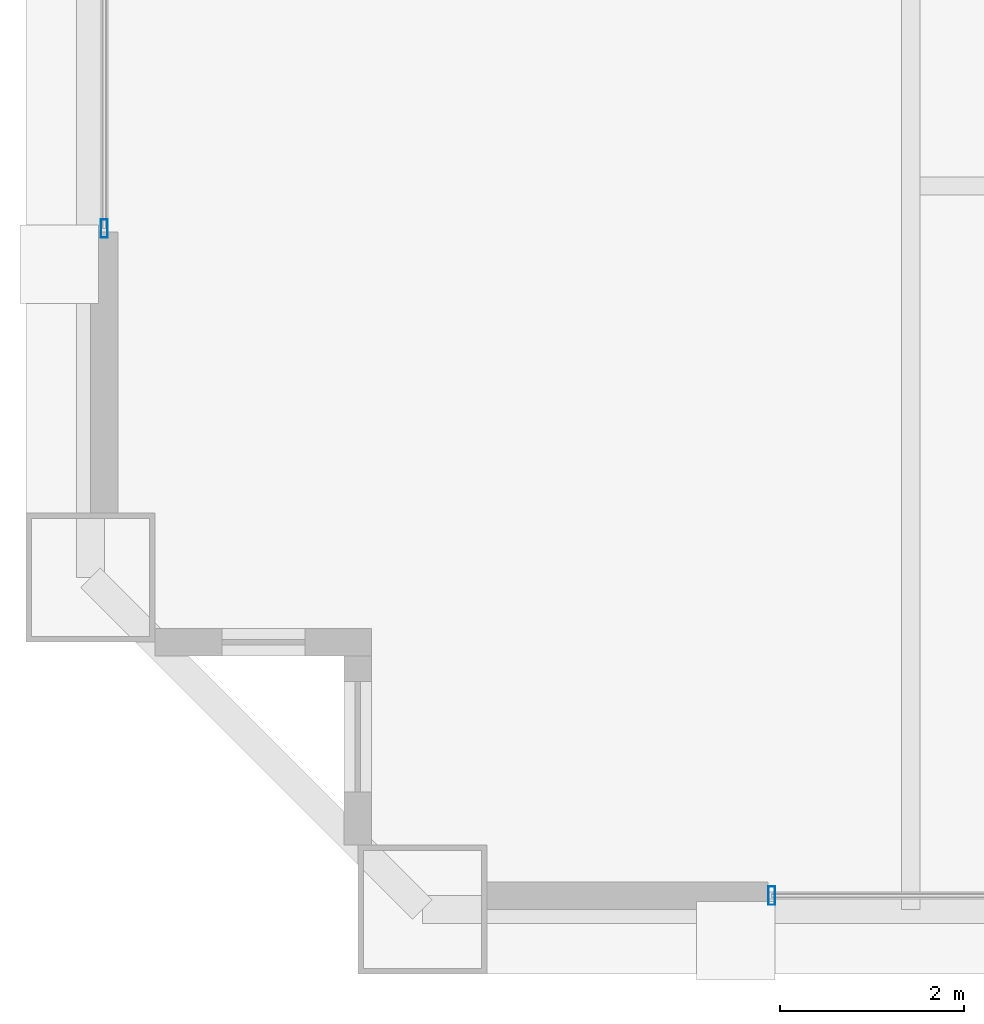
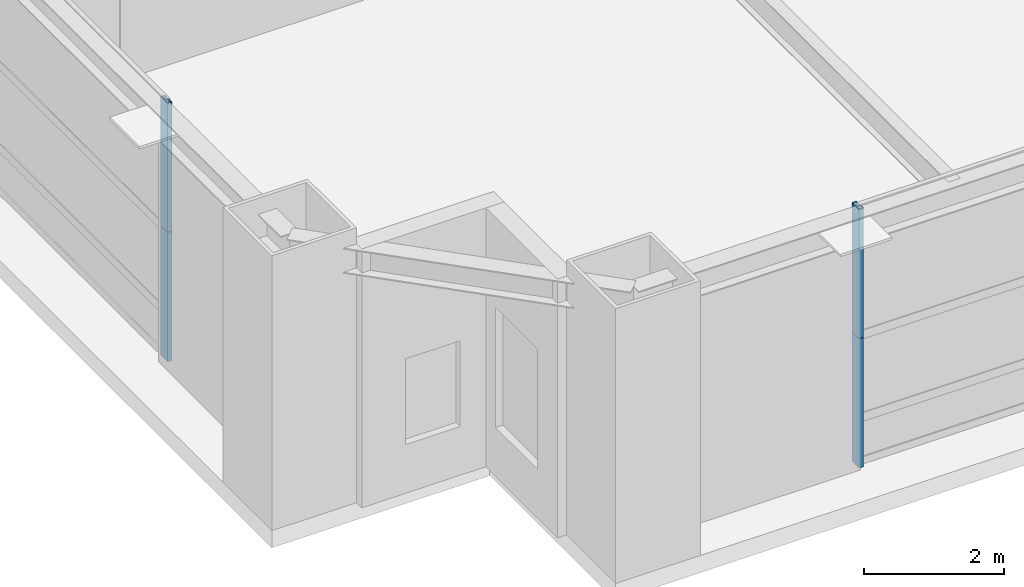
# One storey, part 4 of 34: 4 members, 2 elements without a shape of their own.
"""IFC4 building model written with IfcOpenShell, lengths in metres."""

from ifc_helpers import new_model, si_unit, direction, frame, origin, origin_2d, place, context, subcontext, project, spatial, hollow_rectangle, extrude, source, transform, mapped, material, layer, layer_set, material_profile, profile_set, type_object, element, aggregate, save


model = new_model("IFC4")

# Units and contexts
model_context = context("Model", 3, precision=1e-05, world=origin(), true_north=direction((0.0, 1.0)))
body_context = subcontext(model_context, "Body", "Model", "MODEL_VIEW")
ifc_project = project(units=[si_unit("LENGTHUNIT", "METRE"), si_unit("AREAUNIT", "SQUARE_METRE"), si_unit("VOLUMEUNIT", "CUBIC_METRE"), si_unit("PLANEANGLEUNIT", "RADIAN"), si_unit("MASSUNIT", "GRAM", prefix="KILO"), si_unit("THERMODYNAMICTEMPERATUREUNIT", "KELVIN"), si_unit("POWERUNIT", "WATT")], contexts=[model_context])

# Site, building, storey
site_placement = place(None, origin())
site = spatial("IfcSite", under=ifc_project, at=site_placement, CompositionType="ELEMENT")
building_placement = place(site_placement, origin())
building = spatial("IfcBuilding", under=site, at=building_placement, Name="Yuzanri Waterfront Tower", CompositionType="ELEMENT")
storey_placement = place(building_placement, frame((0.0, 0.0, 171.60009765625)))
storey = spatial("IfcBuildingStorey", under=building, at=storey_placement, Name="L45", CompositionType="ELEMENT", Elevation=171.60009765625)

# Curtain wall, member
ifc_material_1 = material(Name="Anodized Architectural Bronze", Category="metal")
ifc_layer = layer(ifc_material_1, 0.159912109375)
ifc_layer_set = layer_set([ifc_layer], Name="Anodized Architectural Bronze")
curtain_wall_type = type_object("IfcCurtainWallType", Name="Anodized Bronze Sky-Lobby Triple-Glazed Feature Curtain Wall 7500", PredefinedType="NOTDEFINED", material=ifc_layer_set)
curtain_wall_1_placement = place(storey_placement, origin())
curtain_wall_1 = element("IfcCurtainWall", 1, at=curtain_wall_1_placement, inside=storey, type_object=curtain_wall_type, Name="L45 Curtain Wall CW-L45-SL", PredefinedType="NOTDEFINED")
ifc_material_2 = material(Name="Anodized Architectural Bronze", Category="metal")
ifc_material_profile = material_profile(ifc_material_2, hollow_rectangle(XDim=0.074951171875, YDim=0.199951171875, WallThickness=0.00390625, at=origin_2d()), Name="CWM 75x200")
ifc_profile_set = profile_set([ifc_material_profile], Name="Anodized Architectural Bronze")
member_type = type_object("IfcMemberType", Name="Anodized Bronze Primary Curtain-Wall Mullion 75x200", PredefinedType="MULLION", material=ifc_profile_set)
shared_shape_1 = source(origin(), body_context, "Body", "SweptSolid", [
    extrude(hollow_rectangle(XDim=0.074951171875, YDim=0.199951171875, WallThickness=0.00390625, at=origin_2d()), origin(), (0.0, 0.0, 1.0), 2.258056640625),
])
member_1_placement = place(storey_placement, frame((22.2900390625, 3.85009765625, 2.261962890625), z_axis=(0.0, 0.0, 1.0), x_axis=(1.0, 0.0, 0.0)))
member_1 = element("IfcMember", 2, at=member_1_placement, type_object=member_type, Name="CW-L45-SL Upper Mullion 00", PredefinedType="MULLION", context=body_context, shape_type="MappedRepresentation", body=[
    mapped(shared_shape_1, transform((0.0, 0.0, 0.0), scale=1.0)),
])

curtain_wall_2_placement = place(storey_placement, origin())
curtain_wall_2 = element("IfcCurtainWall", 3, at=curtain_wall_2_placement, inside=storey, type_object=curtain_wall_type, Name="L45 Curtain Wall CW-L45-WL", PredefinedType="NOTDEFINED")
member_2_placement = place(storey_placement, frame((15.050048828125, 11.090087890625, 2.261962890625), z_axis=(0.0, 0.0, 1.0), x_axis=(1.0, 0.0, 0.0)))
member_2 = element("IfcMember", 4, at=member_2_placement, type_object=member_type, Name="CW-L45-WL Upper Mullion 00", PredefinedType="MULLION", context=body_context, shape_type="MappedRepresentation", body=[
    mapped(shared_shape_1, transform((0.0, 0.0, 0.0), scale=1.0)),
])

# Member
shared_shape_2 = source(origin(), body_context, "Body", "SweptSolid", [
    extrude(hollow_rectangle(XDim=0.074951171875, YDim=0.199951171875, WallThickness=0.00390625, at=origin_2d()), origin(), (0.0, 0.0, 1.0), 2.2578125),
])
member_3_placement = place(storey_placement, frame((22.2900390625, 3.85009765625, 0.0), z_axis=(0.0, 0.0, 1.0), x_axis=(1.0, 0.0, 0.0)))
member_3 = element("IfcMember", 5, at=member_3_placement, type_object=member_type, Name="CW-L45-SL Lower Mullion 00", PredefinedType="MULLION", context=body_context, shape_type="MappedRepresentation", body=[
    mapped(shared_shape_2, transform((0.0, 0.0, 0.0), scale=1.0)),
])

aggregate(curtain_wall_1, [member_3, member_1])

member_4_placement = place(storey_placement, frame((15.050048828125, 11.090087890625, 0.0), z_axis=(0.0, 0.0, 1.0), x_axis=(1.0, 0.0, 0.0)))
member_4 = element("IfcMember", 6, at=member_4_placement, type_object=member_type, Name="CW-L45-WL Lower Mullion 00", PredefinedType="MULLION", context=body_context, shape_type="MappedRepresentation", body=[
    mapped(shared_shape_2, transform((0.0, 0.0, 0.0), scale=1.0)),
])

aggregate(curtain_wall_2, [member_4, member_2])

save(model, "model.ifc")
